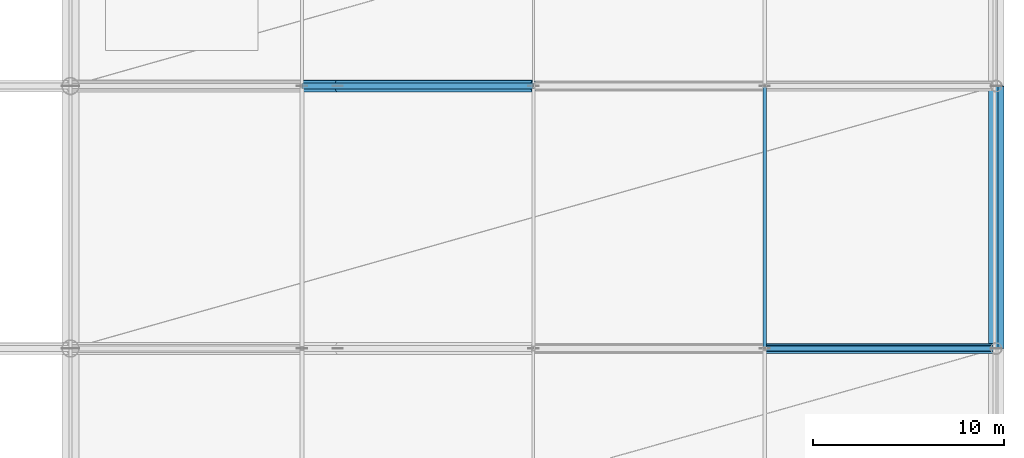
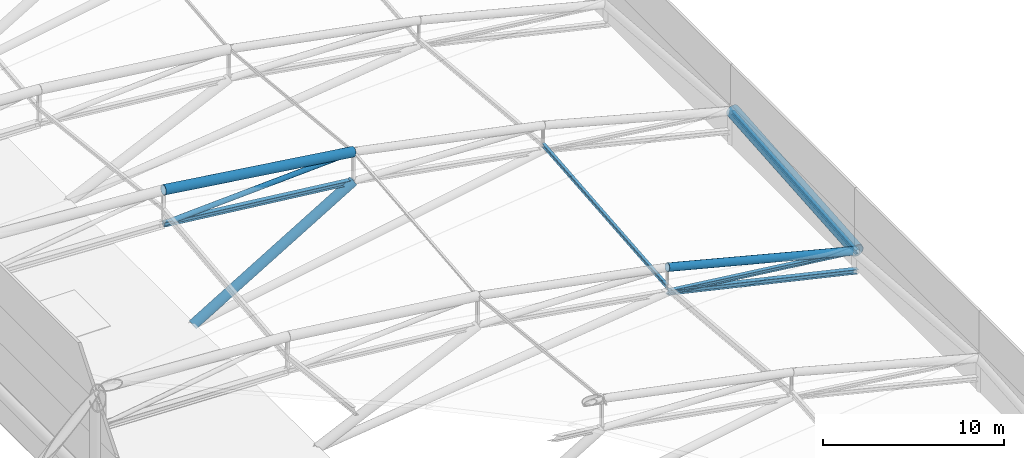
# One storey, part 16 of 36: 9 members, 1 beam.
"""IFC4 building model written with IfcOpenShell, lengths in metres."""

import ifcopenshell
import ifcopenshell.guid

model = None  # the IFC model being written
_history = None  # IfcOwnerHistory: only IFC2X3 demands one
_inside = {}  # id of a spatial element -> (the spatial element, [elements in it])
_under = {}  # id of a project, library or spatial element -> (it, [spatial elements below it])
_declared = {}  # id of a project -> (the project, [libraries it declares])
_typed = {}  # id of a type object -> (the type object, [elements of that type])
_made_of = {}  # id of a material, layer set ... -> (it, [elements and type objects made of it])


def new_model(schema):
    """Start an empty IFC model of exactly this schema.

    Asked for "IFC4X3", IfcOpenShell would pick the latest addendum, in which some entities
    have other attributes; the version numbers below select the first issue.
    IFC2X3 requires an IfcOwnerHistory on every rooted entity: one is made here for all.
    """
    global model, _history
    if schema == "IFC4X3":
        model = ifcopenshell.file(schema_version=(4, 3, 0, 0))
    else:
        model = ifcopenshell.file(schema=schema)
    _inside.clear()
    _under.clear()
    _declared.clear()
    _typed.clear()
    _made_of.clear()
    _history = None
    if model.schema == "IFC2X3":
        org = make("IfcOrganization", Name="unknown")
        user = make(
            "IfcPersonAndOrganization",
            ThePerson=make("IfcPerson", FamilyName="unknown"),
            TheOrganization=org,
        )
        app = make(
            "IfcApplication",
            ApplicationDeveloper=org,
            Version="unknown",
            ApplicationFullName="unknown",
            ApplicationIdentifier="unknown",
        )
        _history = make(
            "IfcOwnerHistory",
            OwningUser=user,
            OwningApplication=app,
            ChangeAction="ADDED",
            CreationDate=0,
        )
    return model


def make(cls, **values):
    """One entity of the class cls with the attributes given. An attribute that is None is left unset."""
    return model.create_entity(
        cls, **{name: value for name, value in values.items() if value is not None}
    )


def rooted(cls, **values):
    """An entity with a GlobalId (a new one), such as an element, a storey or a relation."""
    return make(cls, GlobalId=ifcopenshell.guid.new(), OwnerHistory=_history, **values)


def si_unit(unit_type, name, prefix=None):
    """IfcSIUnit, for example si_unit("LENGTHUNIT", "METRE", prefix="MILLI")."""
    return make("IfcSIUnit", UnitType=unit_type, Prefix=prefix, Name=name)


def assignment(units):
    """IfcUnitAssignment: the units of a project."""
    return None if units is None else make("IfcUnitAssignment", Units=units)


def point(xyz):
    """IfcCartesianPoint."""
    return None if xyz is None else make("IfcCartesianPoint", Coordinates=xyz)


def direction(xyz):
    """IfcDirection."""
    return None if xyz is None else make("IfcDirection", DirectionRatios=xyz)


def frame(location, z_axis=None, x_axis=None):
    """IfcAxis2Placement3D, a coordinate frame: its origin and axes. An axis left out is left unset."""
    return make(
        "IfcAxis2Placement3D",
        Location=point(location),
        Axis=direction(z_axis),
        RefDirection=direction(x_axis),
    )


def frame_2d(location, x_axis=None):
    """IfcAxis2Placement2D, a coordinate frame in the plane: its origin and x axis."""
    return make(
        "IfcAxis2Placement2D", Location=point(location), RefDirection=direction(x_axis)
    )


def origin():
    """The frame at (0, 0, 0) with its axes left unset."""
    return frame((0.0, 0.0, 0.0))


def origin_2d():
    """The frame at (0, 0) in the plane with its x axis left unset."""
    return frame_2d((0.0, 0.0))


def place(relative_to, where):
    """IfcLocalPlacement: puts the frame where relative to a parent placement (None: the world)."""
    return make(
        "IfcLocalPlacement", PlacementRelTo=relative_to, RelativePlacement=where
    )


def context(
    kind, dimensions, precision=None, world=None, true_north=None, identifier=None
):
    """IfcGeometricRepresentationContext, for example the 3D "Model" context."""
    return make(
        "IfcGeometricRepresentationContext",
        ContextIdentifier=identifier,
        ContextType=kind,
        CoordinateSpaceDimension=dimensions,
        Precision=precision,
        WorldCoordinateSystem=world,
        TrueNorth=true_north,
    )


def subcontext(parent, identifier, kind, view, scale=None):
    """IfcGeometricRepresentationSubContext, for example "Body" below "Model"."""
    return make(
        "IfcGeometricRepresentationSubContext",
        ContextIdentifier=identifier,
        ContextType=kind,
        ParentContext=parent,
        TargetScale=scale,
        TargetView=view,
    )


def project(units=None, contexts=None):
    """IfcProject with its units and contexts."""
    return rooted(
        "IfcProject",
        Name="project",
        RepresentationContexts=contexts,
        UnitsInContext=assignment(units),
    )


def spatial(cls, under=None, at=None, **own):
    """A site, building, storey or space (cls), placed at a placement, below another one or the project."""
    s = rooted(cls, ObjectPlacement=at, **own)
    if under is not None:
        _under.setdefault(under.id(), (under, []))[1].append(s)
    return s


def profile(cls, at=None, kind="AREA", **sizes):
    """A parametric profile (cls). Its sizes go by their IFC names, for example OverallWidth=200.0."""
    return make(cls, ProfileType=kind, Position=at, **sizes)


def hollow_circle(**sizes):
    """IfcCircleHollowProfileDef."""
    return profile("IfcCircleHollowProfileDef", **sizes)


def i_section(**sizes):
    """IfcIShapeProfileDef."""
    return profile("IfcIShapeProfileDef", **sizes)


def extrude(swept, where, along, depth):
    """IfcExtrudedAreaSolid: the profile swept, set in the frame where, extruded along a direction by depth."""
    return make(
        "IfcExtrudedAreaSolid",
        SweptArea=swept,
        Position=where,
        ExtrudedDirection=direction(along),
        Depth=depth,
    )


def shape(context_of_items, identifier, shape_type, items):
    """IfcShapeRepresentation: the items that make up one representation, for example the "Body"."""
    return make(
        "IfcShapeRepresentation",
        ContextOfItems=context_of_items,
        RepresentationIdentifier=identifier,
        RepresentationType=shape_type,
        Items=items,
    )


def material(Name=None, Category=None):
    """IfcMaterial."""
    return make("IfcMaterial", Name=Name, Category=Category)


def material_profile(
    of_material, cross_section, Name=None, Category=None, Priority=None
):
    """IfcMaterialProfile: a cross section and its material."""
    return make(
        "IfcMaterialProfile",
        Name=Name,
        Material=of_material,
        Profile=cross_section,
        Priority=Priority,
        Category=Category,
    )


def profile_set(profiles, Name=None, composite=None):
    """IfcMaterialProfileSet."""
    return make(
        "IfcMaterialProfileSet",
        Name=Name,
        MaterialProfiles=profiles,
        CompositeProfile=composite,
    )


def made_of(thing, what):
    """Note that an element or type object is made of a material, layer set ...; save() writes the relation."""
    if what is not None:
        _made_of.setdefault(what.id(), (what, []))[1].append(thing)
    return thing


def type_object(cls, material=None, **own):
    """A type object (cls), such as IfcWallType, which elements share."""
    return made_of(rooted(cls, **own), material)


def element(
    cls,
    number,
    at=None,
    inside=None,
    cuts=None,
    type_object=None,
    material=None,
    context=None,
    identifier="Body",
    shape_type=None,
    held_by="IfcProductDefinitionShape",
    body=None,
    shapes=None,
    **own,
):
    """One element of the class cls, such as IfcWall. Its Tag is "e" and its number.

    at: its placement. inside: the storey or other place that contains it. cuts: it is an
    opening in that element (IfcRelVoidsElement). A single representation is given by context,
    identifier, shape_type and body (its items); several are given by shapes. held_by: the class
    of the entity that holds the representations. save() writes the other relations.
    """
    e = rooted(cls, Tag="e%d" % number, ObjectPlacement=at, **own)
    if body is not None:
        shapes = [shape(context, identifier, shape_type, body)]
    if shapes is not None:
        e.Representation = make(held_by, Representations=shapes)
    if inside is not None:
        _inside.setdefault(inside.id(), (inside, []))[1].append(e)
    if cuts is not None:
        rooted(
            "IfcRelVoidsElement", RelatingBuildingElement=cuts, RelatedOpeningElement=e
        )
    if type_object is not None:
        _typed.setdefault(type_object.id(), (type_object, []))[1].append(e)
    return made_of(e, material)


def aggregate(whole, parts):
    """IfcRelAggregates: a whole, such as a stair, and the parts it consists of."""
    return rooted("IfcRelAggregates", RelatingObject=whole, RelatedObjects=parts)


def save(model, path):
    """Write the relations noted so far, then the file.

    IfcRelAggregates (storeys below a building ...), IfcRelContainedInSpatialStructure (elements
    in a storey), IfcRelDefinesByType, IfcRelAssociatesMaterial and IfcRelDeclares: one each for
    every whole, place, type object, material and project.
    """
    for whole, parts in _under.values():
        aggregate(whole, parts)
    for where, things in _inside.values():
        rooted(
            "IfcRelContainedInSpatialStructure",
            RelatedElements=things,
            RelatingStructure=where,
        )
    for kind, things in _typed.values():
        rooted("IfcRelDefinesByType", RelatedObjects=things, RelatingType=kind)
    for what, things in _made_of.values():
        rooted("IfcRelAssociatesMaterial", RelatedObjects=things, RelatingMaterial=what)
    for by, libraries in _declared.values():
        rooted("IfcRelDeclares", RelatingContext=by, RelatedDefinitions=libraries)
    model.write(path)


model = new_model("IFC4")

# Units and contexts
model_context = context("Model", 3, precision=1e-05, world=origin(), true_north=direction((0.0, 1.0)))
body_context = subcontext(model_context, "Body", "Model", "MODEL_VIEW")
ifc_project = project(units=[si_unit("LENGTHUNIT", "METRE"), si_unit("AREAUNIT", "SQUARE_METRE"), si_unit("VOLUMEUNIT", "CUBIC_METRE"), si_unit("PLANEANGLEUNIT", "RADIAN"), si_unit("MASSUNIT", "GRAM", prefix="KILO")], contexts=[model_context])

# Site, building, storey
site_placement = place(None, origin())
site = spatial("IfcSite", under=ifc_project, at=site_placement, CompositionType="ELEMENT")
building_placement = place(site_placement, origin())
building = spatial("IfcBuilding", under=site, at=building_placement, Name="Linyun Crest Stadium", CompositionType="ELEMENT")
storey_placement = place(building_placement, frame((0.0, 0.0, 31.60009765625)))
storey = spatial("IfcBuildingStorey", under=building, at=storey_placement, Name="RF", CompositionType="ELEMENT", Elevation=31.60009765625)

# Beam
ifc_material_1 = material(Name="Steel Q420C", Category="steel")
ifc_material_profile_1 = material_profile(ifc_material_1, hollow_circle(Radius=0.406494140625, WallThickness=0.035888671875, at=origin_2d()), Name="CHS 813x36")
ifc_profile_set_1 = profile_set([ifc_material_profile_1], Name="Steel Q420C")
beam_type = type_object("IfcBeamType", Name="HB01", PredefinedType="USERDEFINED", material=ifc_profile_set_1)
beam_placement = place(storey_placement, frame((-35.5, -11.625, 1.0478515625), z_axis=(0.0, 0.996786513506, 0.080103973014), x_axis=(-1.0, 0.0, 0.0)))
element("IfcBeam", 1, at=beam_placement, inside=storey, type_object=beam_type, Name="Roof Inner tension ring beam HB01 V1 7", ObjectType="RING BEAM", PredefinedType="USERDEFINED", context=body_context, shape_type="SweptSolid", body=[
    extrude(hollow_circle(Radius=0.406494140625, WallThickness=0.035888671875, at=origin_2d()), origin(), (0.0, 0.0, 1.0), 13.79443359375),
])

# Members
ifc_material_2 = material(Name="Steel Q355B", Category="steel")
ifc_material_profile_2 = material_profile(ifc_material_2, i_section(OverallWidth=0.175048828125, OverallDepth=0.243896484375, WebThickness=0.007080078125, FlangeThickness=0.010986328125, at=origin_2d()), Name="HM 244x175")
ifc_profile_set_2 = profile_set([ifc_material_profile_2], Name="Steel Q355B")
member_type_1 = type_object("IfcMemberType", Name="PR05", PredefinedType="PURLIN", material=ifc_profile_set_2)
member_1_placement = place(storey_placement, frame((-47.625, -11.625, 2.87890625), z_axis=(0.0, 0.995867658033, 0.090816340406), x_axis=(-1.0, 0.0, 0.0)))
element("IfcMember", 2, at=member_1_placement, inside=storey, type_object=member_type_1, Name="Roof canopy purlin PR05 V1 166", PredefinedType="PURLIN", context=body_context, shape_type="SweptSolid", body=[
    extrude(i_section(OverallWidth=0.175048828125, OverallDepth=0.243896484375, WebThickness=0.007080078125, FlangeThickness=0.010986328125, at=origin_2d()), origin(), (0.0, 0.0, 1.0), 13.80712890625),
])
ifc_material_3 = material(Name="Steel Q355B", Category="steel")
ifc_material_profile_3 = material_profile(ifc_material_3, i_section(OverallWidth=0.199951171875, OverallDepth=0.2939453125, WebThickness=0.008056640625, FlangeThickness=0.011962890625, at=origin_2d()), Name="HM 294x200")
ifc_profile_set_3 = profile_set([ifc_material_profile_3], Name="Steel Q355B")
member_type_2 = type_object("IfcMemberType", Name="PR06", PredefinedType="PURLIN", material=ifc_profile_set_3)
member_2_placement = place(storey_placement, frame((-35.5, -11.625, 0.94091796875), z_axis=(0.0, 0.996786513506, 0.080103973014), x_axis=(-1.0, 0.0, 0.0)))
element("IfcMember", 3, at=member_2_placement, inside=storey, type_object=member_type_2, Name="Roof canopy purlin PR06 V1 167", PredefinedType="PURLIN", context=body_context, shape_type="SweptSolid", body=[
    extrude(i_section(OverallWidth=0.199951171875, OverallDepth=0.2939453125, WebThickness=0.008056640625, FlangeThickness=0.011962890625, at=origin_2d()), origin(), (0.0, 0.0, 1.0), 13.79443359375),
])
ifc_material_4 = material(Name="Steel Q420C", Category="steel")
ifc_material_profile_4 = material_profile(ifc_material_4, hollow_circle(Radius=0.25390625, WallThickness=0.02490234375, at=origin_2d()), Name="CHS 508x25")
ifc_profile_set_4 = profile_set([ifc_material_profile_4], Name="Steel Q420C")
member_type_3 = type_object("IfcMemberType", Name="TC01", PredefinedType="CHORD", material=ifc_profile_set_4)
member_3_placement = place(storey_placement, frame((-47.625, -11.625, 4.160888671875), z_axis=(0.968585734895, 0.0, -0.248679862791), x_axis=(0.0, 1.0, 0.0)))
element("IfcMember", 4, at=member_3_placement, inside=storey, type_object=member_type_3, Name="Roof truss top chord TC01 V1 71", PredefinedType="CHORD", context=body_context, shape_type="SweptSolid", body=[
    extrude(hollow_circle(Radius=0.25390625, WallThickness=0.02490234375, at=origin_2d()), origin(), (0.0, 0.0, 1.0), 12.518310546875),
])
ifc_material_5 = material(Name="Steel Q420C", Category="steel")
ifc_material_profile_5 = material_profile(ifc_material_5, hollow_circle(Radius=0.304931640625, WallThickness=0.030029296875, at=origin_2d()), Name="CHS 610x30")
ifc_profile_set_5 = profile_set([ifc_material_profile_5], Name="Steel Q420C")
member_type_4 = type_object("IfcMemberType", Name="TC02", PredefinedType="CHORD", material=ifc_profile_set_5)
member_4_placement = place(storey_placement, frame((-71.875, 2.125, 9.537841796875), z_axis=(0.990737434894, 0.0, -0.135791513356), x_axis=(0.0, 1.0, 0.0)))
element("IfcMember", 5, at=member_4_placement, inside=storey, type_object=member_type_4, Name="Roof truss top chord TC02 V1 82", PredefinedType="CHORD", context=body_context, shape_type="SweptSolid", body=[
    extrude(hollow_circle(Radius=0.304931640625, WallThickness=0.030029296875, at=origin_2d()), origin(), (0.0, 0.0, 1.0), 12.23828125),
])
member_5_placement = place(storey_placement, frame((-70.0, 2.125, -0.235107421875), z_axis=(0.858046043836, 0.0, 0.513572766662), x_axis=(0.0, 1.0, 0.0)))
element("IfcMember", 6, at=member_5_placement, inside=storey, type_object=member_type_4, Name="Roof arch inclined support strut TC02 V1 94", PredefinedType="CHORD", context=body_context, shape_type="SweptSolid", body=[
    extrude(hollow_circle(Radius=0.304931640625, WallThickness=0.030029296875, at=origin_2d()), origin(), (0.0, 0.0, 1.0), 11.94580078125),
])
ifc_material_6 = material(Name="Steel Q355C", Category="steel")
ifc_material_profile_6 = material_profile(ifc_material_6, i_section(OverallWidth=0.300048828125, OverallDepth=0.300048828125, WebThickness=0.010009765625, FlangeThickness=0.014892578125, at=origin_2d()), Name="HW 300x300")
ifc_profile_set_6 = profile_set([ifc_material_profile_6], Name="Steel Q355C")
member_type_5 = type_object("IfcMemberType", Name="TC03", PredefinedType="CHORD", material=ifc_profile_set_6)
member_6_placement = place(storey_placement, frame((-47.625, -11.625, 2.496826171875), z_axis=(0.974339257531, 0.0, -0.225084453561), x_axis=(0.0, 1.0, 0.0)))
element("IfcMember", 7, at=member_6_placement, inside=storey, type_object=member_type_5, Name="Roof truss bottom chord TC03 V1 72", PredefinedType="CHORD", context=body_context, shape_type="SweptSolid", body=[
    extrude(i_section(OverallWidth=0.300048828125, OverallDepth=0.300048828125, WebThickness=0.010009765625, FlangeThickness=0.014892578125, at=origin_2d()), origin(), (0.0, 0.0, 1.0), 12.4443359375),
])
member_7_placement = place(storey_placement, frame((-71.875, 2.125, 7.25), z_axis=(0.993857838706, 0.0, -0.110664341335), x_axis=(0.0, 1.0, 0.0)))
element("IfcMember", 8, at=member_7_placement, inside=storey, type_object=member_type_5, Name="Roof truss bottom chord TC03 V1 83", PredefinedType="CHORD", context=body_context, shape_type="SweptSolid", body=[
    extrude(i_section(OverallWidth=0.300048828125, OverallDepth=0.300048828125, WebThickness=0.010009765625, FlangeThickness=0.014892578125, at=origin_2d()), origin(), (0.0, 0.0, 1.0), 12.199951171875),
])
ifc_material_7 = material(Name="Steel Q355C", Category="steel")
ifc_material_profile_7 = material_profile(ifc_material_7, hollow_circle(Radius=0.16259765625, WallThickness=0.01611328125, at=origin_2d()), Name="CHS 325x16")
ifc_profile_set_7 = profile_set([ifc_material_profile_7], Name="Steel Q355C")
member_type_6 = type_object("IfcMemberType", Name="TD02", PredefinedType="BRACE", material=ifc_profile_set_7)
member_8_placement = place(storey_placement, frame((-71.875, 2.125, 7.25), z_axis=(0.998669988006, 0.0, 0.05155826855), x_axis=(0.0, 1.0, 0.0)))
element("IfcMember", 9, at=member_8_placement, inside=storey, type_object=member_type_6, Name="Roof truss diagonal TD02 V1 84", PredefinedType="BRACE", context=body_context, shape_type="SweptSolid", body=[
    extrude(hollow_circle(Radius=0.16259765625, WallThickness=0.01611328125, at=origin_2d()), origin(), (0.0, 0.0, 1.0), 12.14111328125),
])
ifc_material_8 = material(Name="Steel Q355C", Category="steel")
ifc_material_profile_8 = material_profile(ifc_material_8, i_section(OverallWidth=0.25, OverallDepth=0.25, WebThickness=0.009033203125, FlangeThickness=0.013916015625, at=origin_2d()), Name="HW 250x250")
ifc_profile_set_8 = profile_set([ifc_material_profile_8], Name="Steel Q355C")
member_type_7 = type_object("IfcMemberType", Name="TD04", PredefinedType="BRACE", material=ifc_profile_set_8)
member_9_placement = place(storey_placement, frame((-47.625, -11.625, 2.496826171875), z_axis=(0.992935090225, 0.0, -0.118658782226), x_axis=(0.0, 1.0, 0.0)))
element("IfcMember", 10, at=member_9_placement, inside=storey, type_object=member_type_7, Name="Roof truss diagonal TD04 V1 73", PredefinedType="BRACE", context=body_context, shape_type="SweptSolid", body=[
    extrude(i_section(OverallWidth=0.25, OverallDepth=0.25, WebThickness=0.009033203125, FlangeThickness=0.013916015625, at=origin_2d()), origin(), (0.0, 0.0, 1.0), 12.211181640625),
])

save(model, "model.ifc")
